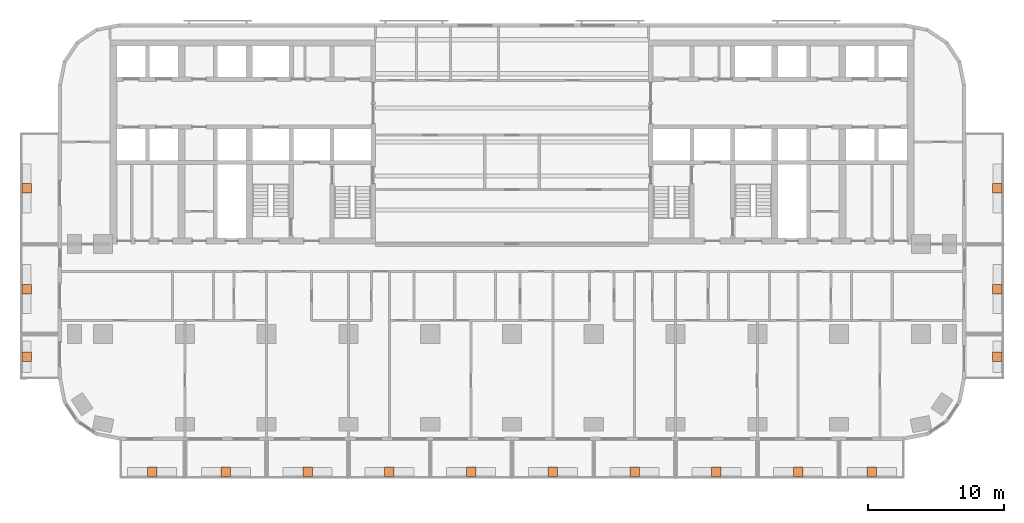
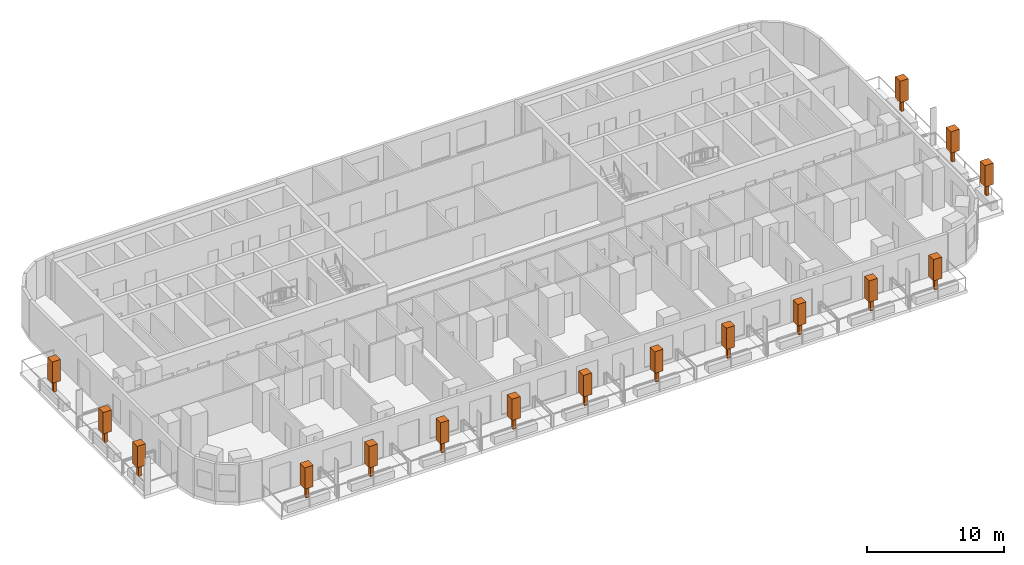
# One storey, part 15 of 15: 16 geographic elements.
"""IFC4 building model written with IfcOpenShell, lengths in metres."""

from ifc_helpers import new_model, si_unit, direction, frame, origin, origin_2d, place, context, subcontext, project, spatial, rectangle, extrude, material, element, save


model = new_model("IFC4")

# Units and contexts
model_context = context("Model", 3, precision=1e-05, world=origin(), true_north=direction((0.0, 1.0)))
body_context = subcontext(model_context, "Body", "Model", "MODEL_VIEW")
ifc_project = project(units=[si_unit("LENGTHUNIT", "METRE"), si_unit("AREAUNIT", "SQUARE_METRE"), si_unit("VOLUMEUNIT", "CUBIC_METRE"), si_unit("PLANEANGLEUNIT", "RADIAN"), si_unit("MASSUNIT", "GRAM", prefix="KILO")], contexts=[model_context])

# Site, building, storey
site_placement = place(None, origin())
site = spatial("IfcSite", under=ifc_project, at=site_placement, CompositionType="ELEMENT")
building_placement = place(site_placement, origin())
building = spatial("IfcBuilding", under=site, at=building_placement, Name="Torana Hotel and Residences", CompositionType="ELEMENT")
storey_placement = place(building_placement, frame((0.0, 0.0, 92.39990234375)))
storey = spatial("IfcBuildingStorey", under=building, at=storey_placement, Name="L23", CompositionType="ELEMENT", Elevation=92.39990234375)

# Geographic elements
ifc_material = material(Name="Foliage", Category="planting")
for number, where, z_axis, x_axis, name in (
    (1, (-26.39990234375, -31.699951171875, 0.650146484375), (0.0, 0.0, 1.0), (1.0, 0.0, 0.0), "Tree 01"),
    (2, (-21.0, -31.699951171875, 0.650146484375), (0.0, 0.0, 1.0), (1.0, 0.0, 0.0), "Tree 02"),
    (3, (-15.0, -31.699951171875, 0.650146484375), (0.0, 0.0, 1.0), (1.0, 0.0, 0.0), "Tree 03"),
    (4, (-9.0, -31.699951171875, 0.650146484375), (0.0, 0.0, 1.0), (1.0, 0.0, 0.0), "Tree 04"),
    (5, (-3.0, -31.699951171875, 0.650146484375), (0.0, 0.0, 1.0), (1.0, 0.0, 0.0), "Tree 05"),
    (6, (3.0, -31.699951171875, 0.650146484375), (0.0, 0.0, 1.0), (1.0, 0.0, 0.0), "Tree 06"),
    (7, (9.0, -31.699951171875, 0.650146484375), (0.0, 0.0, 1.0), (1.0, 0.0, 0.0), "Tree 07"),
    (8, (15.0, -31.699951171875, 0.650146484375), (0.0, 0.0, 1.0), (1.0, 0.0, 0.0), "Tree 08"),
    (9, (21.0, -31.699951171875, 0.650146484375), (0.0, 0.0, 1.0), (1.0, 0.0, 0.0), "Tree 09"),
    (10, (26.39990234375, -31.699951171875, 0.650146484375), (0.0, 0.0, 1.0), (1.0, 0.0, 0.0), "Tree 10"),
    (11, (-35.60009765625, -23.25, 0.650146484375), (0.0, 0.0, 1.0), (1.0, 0.0, 0.0), "Tree 11"),
    (12, (-35.60009765625, -18.300048828125, 0.650146484375), (0.0, 0.0, 1.0), (1.0, 0.0, 0.0), "Tree 12"),
    (13, (-35.60009765625, -10.89990234375, 0.650146484375), (0.0, 0.0, 1.0), (1.0, 0.0, 0.0), "Tree 13"),
    (14, (35.60009765625, -23.25, 0.650146484375), (0.0, 0.0, 1.0), (1.0, 0.0, 0.0), "Tree 14"),
    (15, (35.60009765625, -18.300048828125, 0.650146484375), (0.0, 0.0, 1.0), (1.0, 0.0, 0.0), "Tree 15"),
    (16, (35.60009765625, -10.89990234375, 0.650146484375), (0.0, 0.0, 1.0), (1.0, 0.0, 0.0), "Tree 16"),
):
    element("IfcGeographicElement", number, at=place(storey_placement, frame(where, z_axis=z_axis, x_axis=x_axis)), inside=storey, material=ifc_material, Name=name, ObjectType="TREE", PredefinedType="USERDEFINED", context=body_context, shape_type="SweptSolid", body=[
        extrude(rectangle(XDim=0.25, YDim=0.25, at=origin_2d()), origin(), (0.0, 0.0, 1.0), 1.0),
        extrude(rectangle(XDim=0.699951171875, YDim=0.699951171875, at=origin_2d()), frame((0.0, 0.0, 1.0)), (0.0, 0.0, 1.0), 1.89990234375),
    ])

save(model, "model.ifc")
